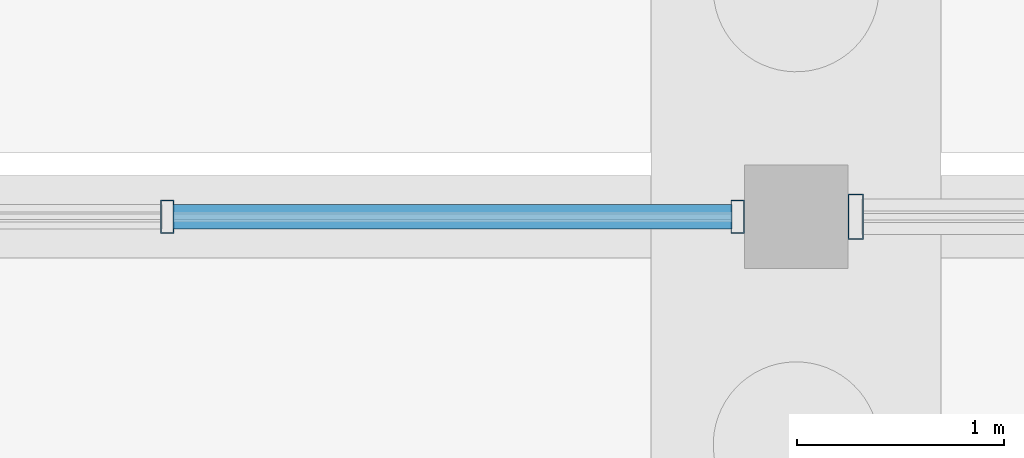
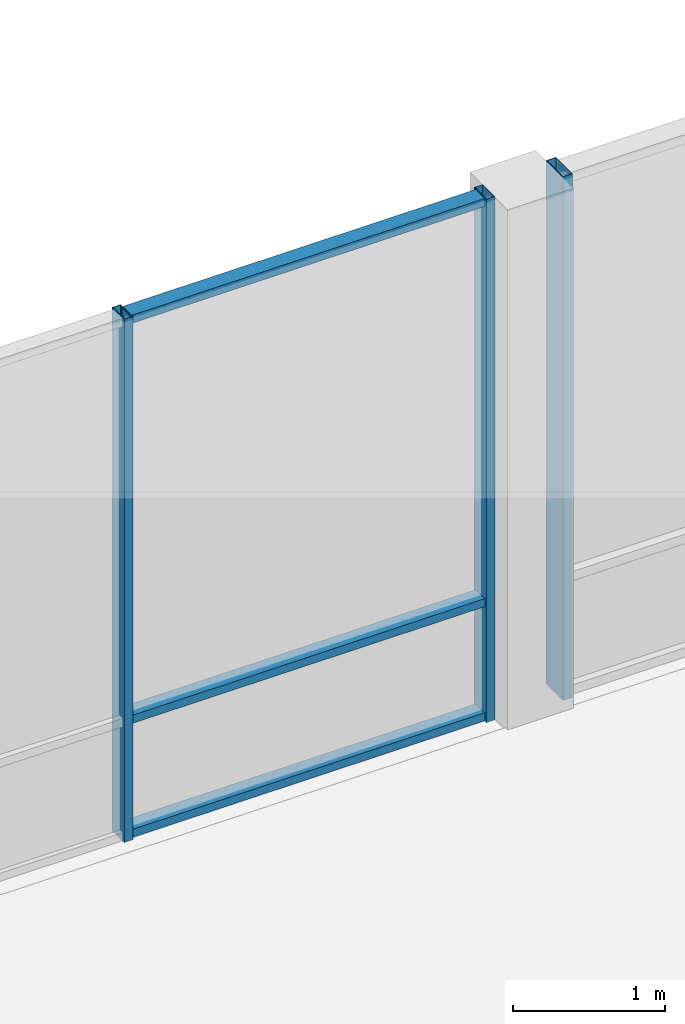
# One storey, part 57 of 104: 6 members, 2 elements without a shape of their own.
"""IFC4 building model written with IfcOpenShell, lengths in metres."""

from ifc_helpers import new_model, si_unit, direction, frame, origin, origin_2d, place, context, subcontext, project, spatial, hollow_rectangle, extrude, material, material_profile, profile_set, type_object, element, aggregate, save


model = new_model("IFC4")

# Units and contexts
model_context = context("Model", 3, precision=1e-05, world=origin(), true_north=direction((0.0, 1.0)))
body_context = subcontext(model_context, "Body", "Model", "MODEL_VIEW")
ifc_project = project(units=[si_unit("LENGTHUNIT", "METRE"), si_unit("AREAUNIT", "SQUARE_METRE"), si_unit("VOLUMEUNIT", "CUBIC_METRE"), si_unit("PLANEANGLEUNIT", "RADIAN"), si_unit("MASSUNIT", "GRAM", prefix="KILO")], contexts=[model_context])

# Site, building, storey
site_placement = place(None, origin())
site = spatial("IfcSite", under=ifc_project, at=site_placement, CompositionType="ELEMENT")
building_placement = place(site_placement, origin())
building = spatial("IfcBuilding", under=site, at=building_placement, Name="Hawrajan Terrace Health Centre", CompositionType="ELEMENT")
storey_placement = place(building_placement, origin())
storey = spatial("IfcBuildingStorey", under=building, at=storey_placement, Name="L00", CompositionType="ELEMENT", Elevation=0.0)

# Curtain wall, members
ifc_material_1 = material(Name="Anodized bronze aluminium and low-E solar glazing", Category="aluminium")
curtain_wall_type_1 = type_object("IfcCurtainWallType", Name="CW_Pavilion_SeriesE1", PredefinedType="USERDEFINED", material=ifc_material_1)
curtain_wall_1_placement = place(storey_placement, origin())
curtain_wall_1 = element("IfcCurtainWall", 1, at=curtain_wall_1_placement, inside=storey, type_object=curtain_wall_type_1, Name="Curtain wall CW-L00-036", ObjectType="UNITISED CURTAIN WALL", PredefinedType="USERDEFINED")
ifc_material_2 = material(Name="Anodized bronze aluminium 6063-T6", Category="aluminium")
ifc_material_profile_1 = material_profile(ifc_material_2, hollow_rectangle(XDim=0.06494140625, YDim=0.159912109375, WallThickness=0.00390625, at=origin_2d()), Name="CW MUL 65x160")
ifc_profile_set_1 = profile_set([ifc_material_profile_1], Name="Anodized bronze aluminium 6063-T6")
member_type_1 = type_object("IfcMemberType", Name="CWMullion_65x160", PredefinedType="MULLION", material=ifc_profile_set_1)
member_1_placement = place(storey_placement, frame((78.3642578125, 36.800048828125, -0.0048828125), z_axis=(0.0, 0.0, 1.0), x_axis=(1.0, 0.0, 0.0)))
member_1 = element("IfcMember", 2, at=member_1_placement, type_object=member_type_1, Name="Mullion CW-L00-036-M3", PredefinedType="MULLION", context=body_context, shape_type="SweptSolid", body=[
    extrude(hollow_rectangle(XDim=0.06494140625, YDim=0.159912109375, WallThickness=0.00390625, at=origin_2d()), origin(), (0.0, 0.0, 1.0), 4.2099609375),
])
member_2_placement = place(storey_placement, frame((81.117431640625, 36.800048828125, -0.0048828125), z_axis=(0.0, 0.0, 1.0), x_axis=(1.0, 0.0, 0.0)))
member_2 = element("IfcMember", 3, at=member_2_placement, type_object=member_type_1, Name="Mullion CW-L00-036-M4", PredefinedType="MULLION", context=body_context, shape_type="SweptSolid", body=[
    extrude(hollow_rectangle(XDim=0.06494140625, YDim=0.159912109375, WallThickness=0.00390625, at=origin_2d()), origin(), (0.0, 0.0, 1.0), 4.2099609375),
])

# Curtain wall, member
curtain_wall_type_2 = type_object("IfcCurtainWallType", Name="CW_Clerestory_SeriesG2", PredefinedType="USERDEFINED", material=ifc_material_1)
curtain_wall_2_placement = place(storey_placement, origin())
curtain_wall_2 = element("IfcCurtainWall", 4, at=curtain_wall_2_placement, inside=storey, type_object=curtain_wall_type_2, Name="Curtain wall CW-L00-041", ObjectType="UNITISED CURTAIN WALL", PredefinedType="USERDEFINED")
ifc_material_profile_2 = material_profile(ifc_material_2, hollow_rectangle(XDim=0.074951171875, YDim=0.219970703125, WallThickness=0.0048828125, at=origin_2d()), Name="CW MUL 75x220")
ifc_profile_set_2 = profile_set([ifc_material_profile_2], Name="Anodized bronze aluminium 6063-T6")
member_type_2 = type_object("IfcMemberType", Name="CWMullion_75x220", PredefinedType="MULLION", material=ifc_profile_set_2)
member_3_placement = place(storey_placement, frame((81.6875, 36.800048828125, -0.0048828125), z_axis=(0.0, 0.0, 1.0), x_axis=(1.0, 0.0, 0.0)))
member_3 = element("IfcMember", 5, at=member_3_placement, type_object=member_type_2, Name="Mullion CW-L00-041-M1", PredefinedType="MULLION", context=body_context, shape_type="SweptSolid", body=[
    extrude(hollow_rectangle(XDim=0.074951171875, YDim=0.219970703125, WallThickness=0.0048828125, at=origin_2d()), origin(), (0.0, 0.0, 1.0), 4.2099609375),
])
aggregate(curtain_wall_2, [member_3])

# Member
ifc_material_profile_3 = material_profile(ifc_material_2, hollow_rectangle(XDim=0.06494140625, YDim=0.1201171875, WallThickness=0.00341796875, at=origin_2d()), Name="CW TRN 65x120")
ifc_profile_set_3 = profile_set([ifc_material_profile_3], Name="Anodized bronze aluminium 6063-T6")
member_type_3 = type_object("IfcMemberType", Name="CWTransom_65x120", PredefinedType="USERDEFINED", material=ifc_profile_set_3)
member_4_placement = place(storey_placement, frame((78.390625, 36.800048828125, 0.032470703125), z_axis=(1.0, 0.0, 0.0), x_axis=(0.0, 0.0, 1.0)))
member_4 = element("IfcMember", 6, at=member_4_placement, type_object=member_type_3, Name="Transom CW-L00-036-T3-1", ObjectType="TRANSOM", PredefinedType="USERDEFINED", context=body_context, shape_type="SweptSolid", body=[
    extrude(hollow_rectangle(XDim=0.06494140625, YDim=0.1201171875, WallThickness=0.00341796875, at=origin_2d()), origin(), (0.0, 0.0, 1.0), 2.700439453125),
])

member_5_placement = place(storey_placement, frame((78.390625, 36.800048828125, 0.949951171875), z_axis=(1.0, 0.0, 0.0), x_axis=(0.0, 0.0, 1.0)))
member_5 = element("IfcMember", 7, at=member_5_placement, type_object=member_type_3, Name="Transom CW-L00-036-T3-2", ObjectType="TRANSOM", PredefinedType="USERDEFINED", context=body_context, shape_type="SweptSolid", body=[
    extrude(hollow_rectangle(XDim=0.06494140625, YDim=0.1201171875, WallThickness=0.00341796875, at=origin_2d()), origin(), (0.0, 0.0, 1.0), 2.700439453125),
])

member_6_placement = place(storey_placement, frame((78.390625, 36.800048828125, 4.16748046875), z_axis=(1.0, 0.0, 0.0), x_axis=(0.0, 0.0, 1.0)))
member_6 = element("IfcMember", 8, at=member_6_placement, type_object=member_type_3, Name="Transom CW-L00-036-T3-3", ObjectType="TRANSOM", PredefinedType="USERDEFINED", context=body_context, shape_type="SweptSolid", body=[
    extrude(hollow_rectangle(XDim=0.06494140625, YDim=0.1201171875, WallThickness=0.00341796875, at=origin_2d()), origin(), (0.0, 0.0, 1.0), 2.700439453125),
])

aggregate(curtain_wall_1, [member_1, member_2, member_4, member_5, member_6])

save(model, "model.ifc")
